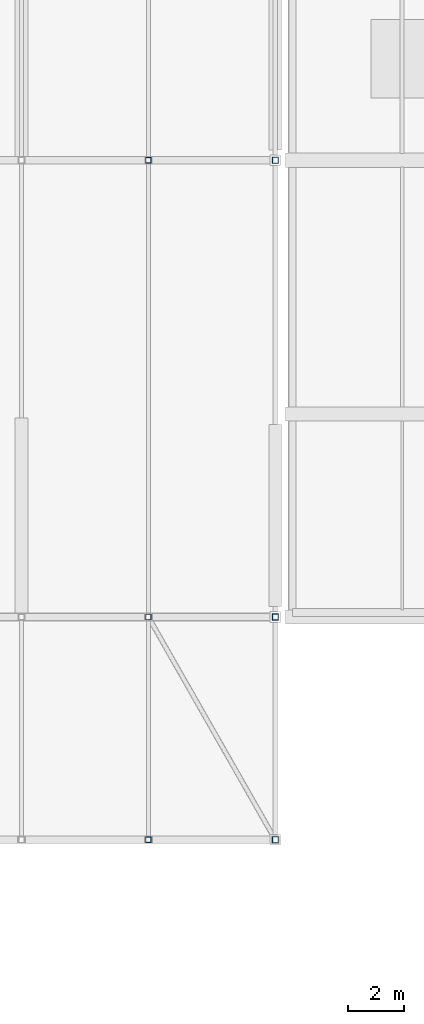
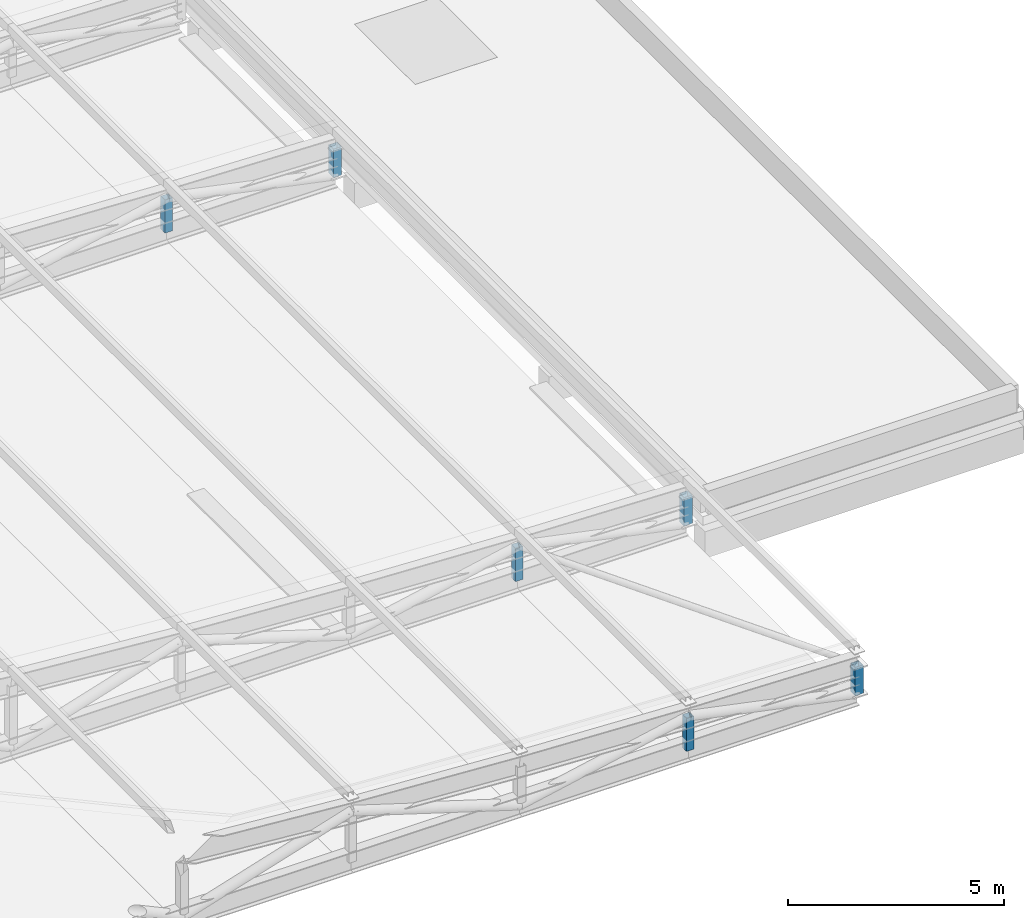
# One storey, part 80 of 114: 6 members.
"""IFC4 building model written with IfcOpenShell, lengths in metres."""

from ifc_helpers import new_model, si_unit, direction, frame, origin, origin_2d, place, context, subcontext, project, spatial, hollow_rectangle, extrude, material, material_profile, profile_set, type_object, element, save


model = new_model("IFC4")

# Units and contexts
model_context = context("Model", 3, precision=1e-05, world=origin(), true_north=direction((0.0, 1.0)))
body_context = subcontext(model_context, "Body", "Model", "MODEL_VIEW")
ifc_project = project(units=[si_unit("LENGTHUNIT", "METRE"), si_unit("AREAUNIT", "SQUARE_METRE"), si_unit("VOLUMEUNIT", "CUBIC_METRE"), si_unit("PLANEANGLEUNIT", "RADIAN"), si_unit("MASSUNIT", "GRAM", prefix="KILO"), si_unit("THERMODYNAMICTEMPERATUREUNIT", "KELVIN"), si_unit("POWERUNIT", "WATT")], contexts=[model_context])

# Site, building, storey
site_placement = place(None, origin())
site = spatial("IfcSite", under=ifc_project, at=site_placement, CompositionType="ELEMENT")
building_placement = place(site_placement, origin())
building = spatial("IfcBuilding", under=site, at=building_placement, Name="Sindhuravela Promenade Stadium", CompositionType="ELEMENT")
storey_placement = place(building_placement, frame((0.0, 0.0, 24.0)))
storey = spatial("IfcBuildingStorey", under=building, at=storey_placement, Name="L05", CompositionType="ELEMENT", Elevation=24.0)

# Members
ifc_material = material(Name="Steel E350 (IS 2062 E350BR)", Category="steel")
ifc_material_profile_1 = material_profile(ifc_material, hollow_rectangle(XDim=0.199951171875, YDim=0.199951171875, WallThickness=0.010009765625, at=origin_2d()), Name="SHS 200x200x10")
ifc_profile_set_1 = profile_set([ifc_material_profile_1], Name="Steel E350 (IS 2062 E350BR)")
member_type_1 = type_object("IfcMemberType", Name="ST-MB-SHS200", PredefinedType="POST", material=ifc_profile_set_1)
for number, where, z_axis, x_axis, name in (
    (1, (193.5, 37.10009765625, 0.0), (0.0, 0.0, 1.0), (1.0, 0.0, 0.0), "Roof truss RT-E01 vertical post 2"),
    (2, (193.5, 45.0, 0.0), (0.0, 0.0, 1.0), (1.0, 0.0, 0.0), "Roof truss RT-E02 vertical post 2"),
    (3, (193.5, 61.199951171875, 0.0), (0.0, 0.0, 1.0), (1.0, 0.0, 0.0), "Roof truss RT-E03 vertical post 2"),
):
    element("IfcMember", number, at=place(storey_placement, frame(where, z_axis=z_axis, x_axis=x_axis)), inside=storey, type_object=member_type_1, Name=name, PredefinedType="POST", context=body_context, shape_type="SweptSolid", body=[
        extrude(hollow_rectangle(XDim=0.199951171875, YDim=0.199951171875, WallThickness=0.010009765625, at=origin_2d()), origin(), (0.0, 0.0, 1.0), 0.9306640625),
    ])
ifc_material_profile_2 = material_profile(ifc_material, hollow_rectangle(XDim=0.219970703125, YDim=0.219970703125, WallThickness=0.011962890625, at=origin_2d()), Name="SHS 220x220x12")
ifc_profile_set_2 = profile_set([ifc_material_profile_2], Name="Steel E350 (IS 2062 E350BR)")
member_type_2 = type_object("IfcMemberType", Name="ST-MB-SHS220", PredefinedType="POST", material=ifc_profile_set_2)
for number, where, z_axis, x_axis, name in (
    (4, (198.0, 37.10009765625, 0.0), (0.0, 0.0, 1.0), (1.0, 0.0, 0.0), "Roof truss RT-E01 vertical post 1"),
    (5, (198.0, 45.0, 0.0), (0.0, 0.0, 1.0), (1.0, 0.0, 0.0), "Roof truss RT-E02 vertical post 1"),
    (6, (198.0, 61.199951171875, 0.0), (0.0, 0.0, 1.0), (1.0, 0.0, 0.0), "Roof truss RT-E03 vertical post 1"),
):
    element("IfcMember", number, at=place(storey_placement, frame(where, z_axis=z_axis, x_axis=x_axis)), inside=storey, type_object=member_type_2, Name=name, PredefinedType="POST", context=body_context, shape_type="SweptSolid", body=[
        extrude(hollow_rectangle(XDim=0.219970703125, YDim=0.219970703125, WallThickness=0.011962890625, at=origin_2d()), origin(), (0.0, 0.0, 1.0), 0.800048828125),
    ])

save(model, "model.ifc")
